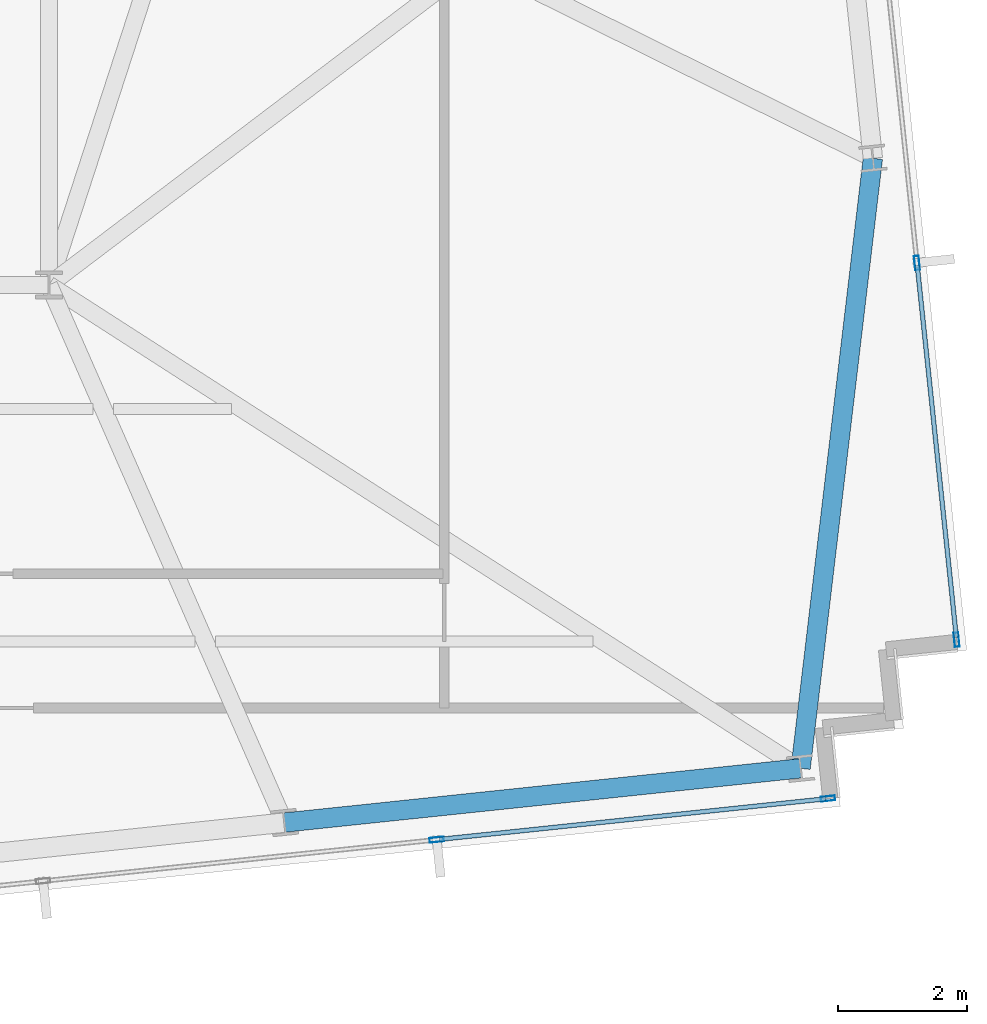
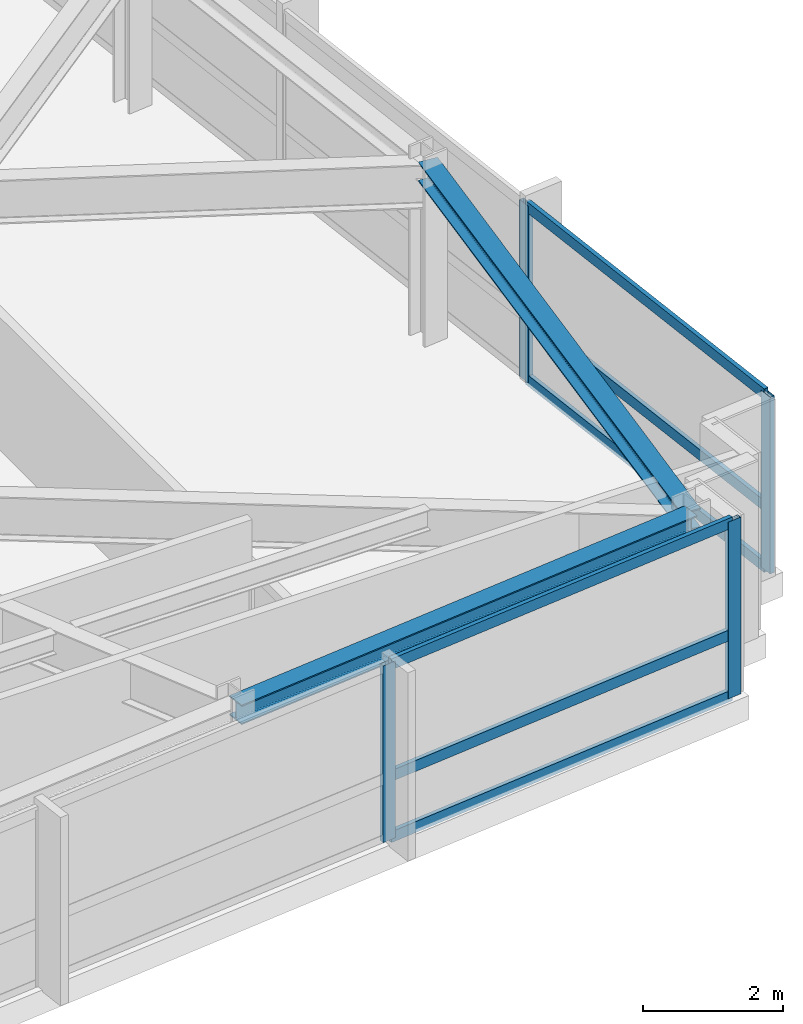
# One storey, part 12 of 26: 10 members, 2 beams, 2 elements without a shape of their own.
"""IFC4 building model written with IfcOpenShell, lengths in metres."""

from ifc_helpers import new_model, si_unit, direction, frame, origin, origin_2d, place, context, subcontext, project, spatial, hollow_rectangle, i_section, extrude, material, material_profile, profile_set, type_object, element, aggregate, save


model = new_model("IFC4")

# Units and contexts
model_context = context("Model", 3, precision=1e-05, world=origin(), true_north=direction((0.0, 1.0)))
body_context = subcontext(model_context, "Body", "Model", "MODEL_VIEW")
ifc_project = project(units=[si_unit("LENGTHUNIT", "METRE"), si_unit("AREAUNIT", "SQUARE_METRE"), si_unit("VOLUMEUNIT", "CUBIC_METRE"), si_unit("PLANEANGLEUNIT", "RADIAN"), si_unit("MASSUNIT", "GRAM", prefix="KILO")], contexts=[model_context])

# Site, building, storey
site_placement = place(None, origin())
site = spatial("IfcSite", under=ifc_project, at=site_placement, CompositionType="ELEMENT")
building_placement = place(site_placement, origin())
building = spatial("IfcBuilding", under=site, at=building_placement, Name="Yelkora Congress Tower", CompositionType="ELEMENT")
storey_placement = place(building_placement, frame((0.0, 0.0, 204.5)))
storey = spatial("IfcBuildingStorey", under=building, at=storey_placement, Name="L56", CompositionType="ELEMENT", Elevation=204.5)

# Beams
ifc_material_1 = material(Name="Steel S355J2", Category="steel")
ifc_material_profile_1 = material_profile(ifc_material_1, i_section(OverallWidth=0.300048828125, OverallDepth=0.340087890625, WebThickness=0.011962890625, FlangeThickness=0.021484375, FilletRadius=0.027099609375, at=origin_2d()), Name="HEB 340")
ifc_profile_set_1 = profile_set([ifc_material_profile_1], Name="Steel S355J2")
beam_type = type_object("IfcBeamType", Name="BM-SPAN-HEB340", PredefinedType="SPANDREL", material=ifc_profile_set_1)
beam_1_placement = place(storey_placement, frame((61.24560546875, 16.877197265625, 2.909912109375), z_axis=(0.99452358891, 0.104512349038, 0.0), x_axis=(-0.104512349038, 0.99452358891, 0.0)))
element("IfcBeam", 1, at=beam_1_placement, inside=storey, type_object=beam_type, Name="L56 Perimeter Beam 8", PredefinedType="SPANDREL", context=body_context, shape_type="SweptSolid", body=[
    extrude(i_section(OverallWidth=0.300048828125, OverallDepth=0.340087890625, WebThickness=0.011962890625, FlangeThickness=0.021484375, FilletRadius=0.027099609375, at=origin_2d()), origin(), (0.0, 0.0, 1.0), 8.033447265625),
])
beam_2_placement = place(storey_placement, frame((69.235107421875, 17.716796875, 2.909912109375), z_axis=(0.11765897357, 0.993054059928, 0.0), x_axis=(-0.993054059928, 0.11765897357, 0.0)))
element("IfcBeam", 2, at=beam_2_placement, inside=storey, type_object=beam_type, Name="L56 Perimeter Beam 9", PredefinedType="SPANDREL", context=body_context, shape_type="SweptSolid", body=[
    extrude(i_section(OverallWidth=0.300048828125, OverallDepth=0.340087890625, WebThickness=0.011962890625, FlangeThickness=0.021484375, FilletRadius=0.027099609375, at=origin_2d()), origin(), (0.0, 0.0, 1.0), 9.509765625),
])

# Curtain wall, members
ifc_material_2 = material(Name="Anodised aluminium and insulated glass", Category="aluminium")
curtain_wall_type = type_object("IfcCurtainWallType", Name="CW-SYS-SKY", PredefinedType="NOTDEFINED", material=ifc_material_2)
curtain_wall_1_placement = place(storey_placement, origin())
curtain_wall_1 = element("IfcCurtainWall", 3, at=curtain_wall_1_placement, inside=storey, type_object=curtain_wall_type, Name="L56 Unitised Curtain Wall 15", PredefinedType="NOTDEFINED")
ifc_material_3 = material(Name="Anodised aluminium 6063-T6", Category="aluminium")
ifc_material_profile_2 = material_profile(ifc_material_3, hollow_rectangle(XDim=0.074951171875, YDim=0.219970703125, WallThickness=0.0048828125, at=origin_2d()), Name="ALU 75x220x5")
ifc_profile_set_2 = profile_set([ifc_material_profile_2], Name="Anodised aluminium 6063-T6")
member_type_1 = type_object("IfcMemberType", Name="MEM-ML-SKY", PredefinedType="MULLION", material=ifc_profile_set_2)
member_1_placement = place(storey_placement, frame((71.036865234375, 25.5419921875, 0.0), z_axis=(0.0, 0.0, 1.0), x_axis=(0.994522182968, 0.104525726898, 0.0)))
member_1 = element("IfcMember", 4, at=member_1_placement, type_object=member_type_1, Name="CW-SKY mullion 5", PredefinedType="MULLION", context=body_context, shape_type="SweptSolid", body=[
    extrude(hollow_rectangle(XDim=0.074951171875, YDim=0.219970703125, WallThickness=0.0048828125, at=origin_2d()), origin(), (0.0, 0.0, 1.0), 3.080078125),
])
member_2_placement = place(storey_placement, frame((71.650146484375, 19.70751953125, 0.0), z_axis=(0.0, 0.0, 1.0), x_axis=(0.994522182968, 0.104525726898, 0.0)))
member_2 = element("IfcMember", 5, at=member_2_placement, type_object=member_type_1, Name="CW-SKY mullion 6", PredefinedType="MULLION", context=body_context, shape_type="SweptSolid", body=[
    extrude(hollow_rectangle(XDim=0.074951171875, YDim=0.219970703125, WallThickness=0.0048828125, at=origin_2d()), origin(), (0.0, 0.0, 1.0), 3.080078125),
])

curtain_wall_2_placement = place(storey_placement, origin())
curtain_wall_2 = element("IfcCurtainWall", 6, at=curtain_wall_2_placement, inside=storey, type_object=curtain_wall_type, Name="L56 Unitised Curtain Wall 20", PredefinedType="NOTDEFINED")
member_3_placement = place(storey_placement, frame((69.65869140625, 17.24853515625, 0.0), z_axis=(0.0, 0.0, 1.0), x_axis=(0.104526664994, -0.994522084373, 0.0)))
member_3 = element("IfcMember", 7, at=member_3_placement, type_object=member_type_1, Name="CW-SKY mullion 1", PredefinedType="MULLION", context=body_context, shape_type="SweptSolid", body=[
    extrude(hollow_rectangle(XDim=0.074951171875, YDim=0.219970703125, WallThickness=0.0048828125, at=origin_2d()), origin(), (0.0, 0.0, 1.0), 3.080078125),
])
member_4_placement = place(storey_placement, frame((63.60205078125, 16.61181640625, 0.0), z_axis=(0.0, 0.0, 1.0), x_axis=(0.104526664994, -0.994522084373, 0.0)))
member_4 = element("IfcMember", 8, at=member_4_placement, type_object=member_type_1, Name="CW-SKY mullion 2", PredefinedType="MULLION", context=body_context, shape_type="SweptSolid", body=[
    extrude(hollow_rectangle(XDim=0.074951171875, YDim=0.219970703125, WallThickness=0.0048828125, at=origin_2d()), origin(), (0.0, 0.0, 1.0), 3.080078125),
])

# Member
ifc_material_profile_3 = material_profile(ifc_material_3, hollow_rectangle(XDim=0.070068359375, YDim=0.18994140625, WallThickness=0.00390625, at=origin_2d()), Name="ALU 70x190x4")
ifc_profile_set_3 = profile_set([ifc_material_profile_3], Name="Anodised aluminium 6063-T6")
member_type_2 = type_object("IfcMemberType", Name="MEM-TR-SKY", PredefinedType="USERDEFINED", material=ifc_profile_set_3)
member_5_placement = place(storey_placement, frame((71.040771484375, 25.504638671875, 0.034912109375), z_axis=(0.104544343878, -0.994520226121, 0.0), x_axis=(0.994520226121, 0.104544343878, 0.0)))
member_5 = element("IfcMember", 9, at=member_5_placement, type_object=member_type_2, Name="CW-SKY transom 5.1", ObjectType="TRANSOM", PredefinedType="USERDEFINED", context=body_context, shape_type="SweptSolid", body=[
    extrude(hollow_rectangle(XDim=0.070068359375, YDim=0.18994140625, WallThickness=0.00390625, at=origin_2d()), origin(), (0.0, 0.0, 1.0), 5.79150390625),
])

member_6_placement = place(storey_placement, frame((71.040771484375, 25.504638671875, 1.10009765625), z_axis=(0.104544343878, -0.994520226121, 0.0), x_axis=(0.994520226121, 0.104544343878, 0.0)))
member_6 = element("IfcMember", 10, at=member_6_placement, type_object=member_type_2, Name="CW-SKY transom 5.2", ObjectType="TRANSOM", PredefinedType="USERDEFINED", context=body_context, shape_type="SweptSolid", body=[
    extrude(hollow_rectangle(XDim=0.070068359375, YDim=0.18994140625, WallThickness=0.00390625, at=origin_2d()), origin(), (0.0, 0.0, 1.0), 5.79150390625),
])

member_7_placement = place(storey_placement, frame((71.040771484375, 25.504638671875, 3.044921875), z_axis=(0.104544343878, -0.994520226121, 0.0), x_axis=(0.994520226121, 0.104544343878, 0.0)))
member_7 = element("IfcMember", 11, at=member_7_placement, type_object=member_type_2, Name="CW-SKY transom 5.3", ObjectType="TRANSOM", PredefinedType="USERDEFINED", context=body_context, shape_type="SweptSolid", body=[
    extrude(hollow_rectangle(XDim=0.070068359375, YDim=0.18994140625, WallThickness=0.00390625, at=origin_2d()), origin(), (0.0, 0.0, 1.0), 5.79150390625),
])

aggregate(curtain_wall_1, [member_1, member_2, member_5, member_6, member_7])

member_8_placement = place(storey_placement, frame((69.62158203125, 17.24462890625, 0.034912109375), z_axis=(-0.994519232976, -0.104553791134, 0.0), x_axis=(0.104553791134, -0.994519232976, 0.0)))
member_8 = element("IfcMember", 12, at=member_8_placement, type_object=member_type_2, Name="CW-SKY transom 1.1", ObjectType="TRANSOM", PredefinedType="USERDEFINED", context=body_context, shape_type="SweptSolid", body=[
    extrude(hollow_rectangle(XDim=0.070068359375, YDim=0.18994140625, WallThickness=0.00390625, at=origin_2d()), origin(), (0.0, 0.0, 1.0), 6.01513671875),
])

member_9_placement = place(storey_placement, frame((69.62158203125, 17.24462890625, 1.10009765625), z_axis=(-0.994519232976, -0.104553791134, 0.0), x_axis=(0.104553791134, -0.994519232976, 0.0)))
member_9 = element("IfcMember", 13, at=member_9_placement, type_object=member_type_2, Name="CW-SKY transom 1.2", ObjectType="TRANSOM", PredefinedType="USERDEFINED", context=body_context, shape_type="SweptSolid", body=[
    extrude(hollow_rectangle(XDim=0.070068359375, YDim=0.18994140625, WallThickness=0.00390625, at=origin_2d()), origin(), (0.0, 0.0, 1.0), 6.01513671875),
])

member_10_placement = place(storey_placement, frame((69.62158203125, 17.24462890625, 3.044921875), z_axis=(-0.994519232976, -0.104553791134, 0.0), x_axis=(0.104553791134, -0.994519232976, 0.0)))
member_10 = element("IfcMember", 14, at=member_10_placement, type_object=member_type_2, Name="CW-SKY transom 1.3", ObjectType="TRANSOM", PredefinedType="USERDEFINED", context=body_context, shape_type="SweptSolid", body=[
    extrude(hollow_rectangle(XDim=0.070068359375, YDim=0.18994140625, WallThickness=0.00390625, at=origin_2d()), origin(), (0.0, 0.0, 1.0), 6.01513671875),
])

aggregate(curtain_wall_2, [member_3, member_4, member_8, member_9, member_10])

save(model, "model.ifc")
